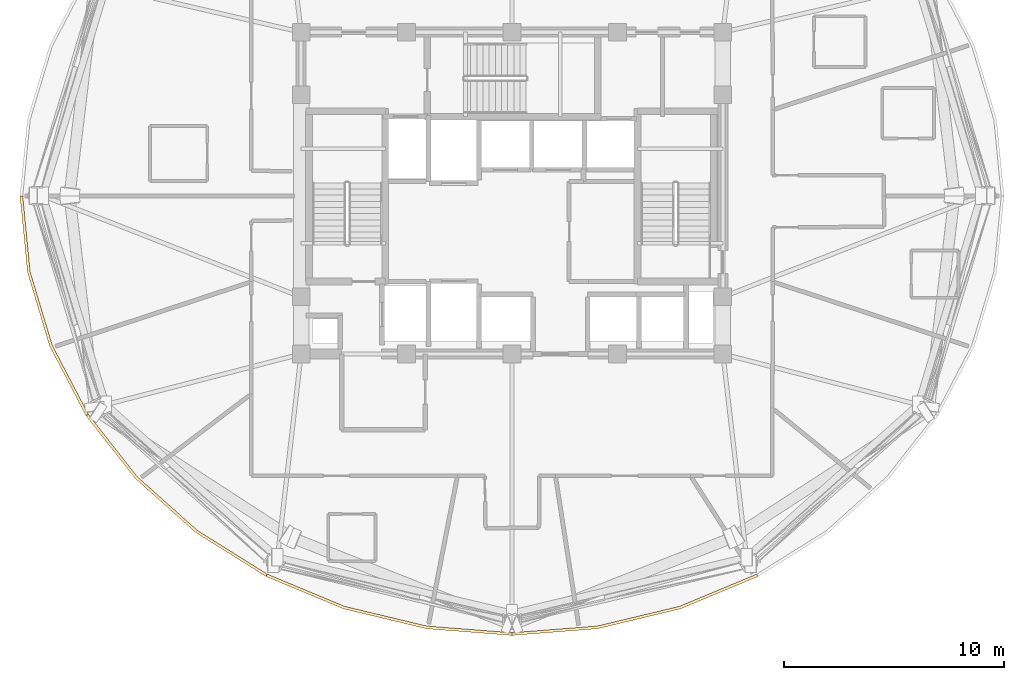
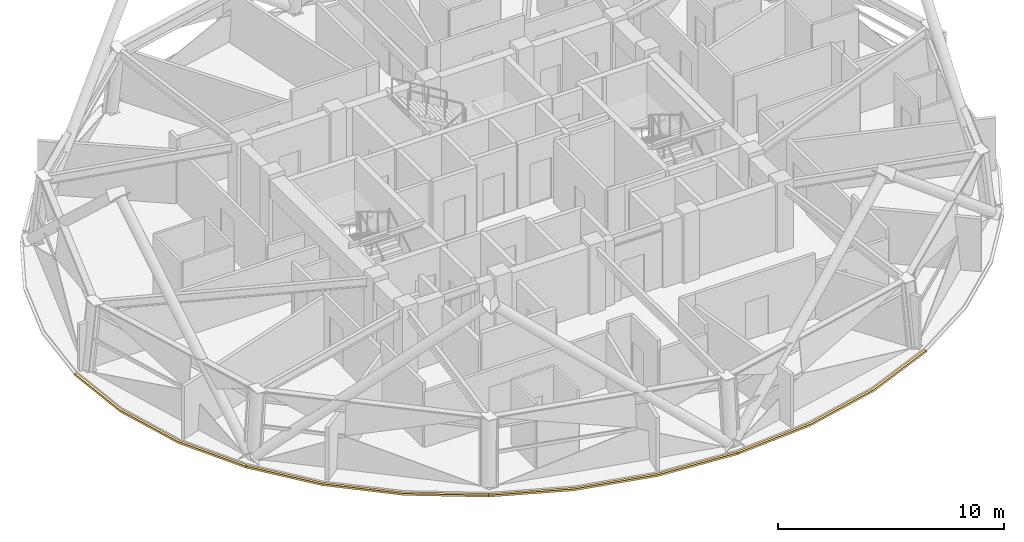
# One storey, part 9 of 12: 4 coverings.
"""IFC4 building model written with IfcOpenShell, lengths in metres."""

from ifc_helpers import new_model, si_unit, direction, frame, origin, place, context, subcontext, project, spatial, polyline, outline, extrude, material, layer, layer_set, type_object, element, save


model = new_model("IFC4")

# Units and contexts
model_context = context("Model", 3, precision=1e-05, world=origin(), true_north=direction((0.0, 1.0)))
body_context = subcontext(model_context, "Body", "Model", "MODEL_VIEW")
ifc_project = project(units=[si_unit("LENGTHUNIT", "METRE"), si_unit("AREAUNIT", "SQUARE_METRE"), si_unit("VOLUMEUNIT", "CUBIC_METRE"), si_unit("PLANEANGLEUNIT", "RADIAN"), si_unit("MASSUNIT", "GRAM", prefix="KILO")], contexts=[model_context])

# Site, building, storey
site_placement = place(None, origin())
site = spatial("IfcSite", under=ifc_project, at=site_placement, CompositionType="ELEMENT")
building_placement = place(site_placement, origin())
building = spatial("IfcBuilding", under=site, at=building_placement, Name="Vantalir Tower", CompositionType="ELEMENT")
storey_placement = place(building_placement, frame((0.0, 0.0, 249.89990234375)))
storey = spatial("IfcBuildingStorey", under=building, at=storey_placement, Name="L63", CompositionType="ELEMENT", Elevation=249.89990234375)

# Coverings
ifc_material = material(Name="Anodised champagne aluminium sill fascia", Category="aluminium")
ifc_layer = layer(ifc_material, 0.125)
ifc_layer_set = layer_set([ifc_layer], Name="Anodised champagne aluminium sill fascia")
covering_type = type_object("IfcCoveringType", Name="COV-SLAB-FASCIA-125", PredefinedType="CLADDING", material=ifc_layer_set)
covering_1_placement = place(storey_placement, frame((0.0, 0.0, -0.179931640625)))
element("IfcCovering", 1, at=covering_1_placement, inside=storey, type_object=covering_type, Name="L63 Perimeter Slab-Edge Sill Fascia 07", PredefinedType="CLADDING", context=body_context, shape_type="SweptSolid", body=[
    extrude(outline(polyline([(9.10693359375, 25.0), (9.447021484375, 21.52587890625), (10.45703125, 18.156982421875), (12.10693359375, 14.99609375), (12.215087890625, 15.05810546875), (10.574951171875, 18.199951171875), (9.570068359375, 21.547119140625), (9.23193359375, 25.0), (9.10693359375, 25.0)])), origin(), (0.0, 0.0, 1.0), 0.10498046875),
])
covering_2_placement = place(storey_placement, frame((0.0, 0.0, -0.179931640625)))
element("IfcCovering", 2, at=covering_2_placement, inside=storey, type_object=covering_type, Name="L63 Perimeter Slab-Edge Sill Fascia 08", PredefinedType="CLADDING", context=body_context, shape_type="SweptSolid", body=[
    extrude(outline(polyline([(12.10693359375, 14.99609375), (14.345947265625, 12.138916015625), (17.10595703125, 9.673095703125), (20.302978515625, 7.673095703125), (20.365966796875, 7.781005859375), (17.18603515625, 9.76904296875), (14.44189453125, 12.218994140625), (12.215087890625, 15.05810546875), (12.10693359375, 14.99609375)])), origin(), (0.0, 0.0, 1.0), 0.10498046875),
])
covering_3_placement = place(storey_placement, frame((0.0, 0.0, -0.179931640625)))
element("IfcCovering", 3, at=covering_3_placement, inside=storey, type_object=covering_type, Name="L63 Perimeter Slab-Edge Sill Fascia 09", PredefinedType="CLADDING", context=body_context, shape_type="SweptSolid", body=[
    extrude(outline(polyline([(20.302978515625, 7.673095703125), (23.841064453125, 6.198974609375), (27.611083984375, 5.2958984375), (31.5, 4.991943359375), (31.5, 5.116943359375), (27.633056640625, 5.4189453125), (23.884033203125, 6.31591796875), (20.365966796875, 7.781005859375), (20.302978515625, 7.673095703125)])), origin(), (0.0, 0.0, 1.0), 0.10498046875),
])
covering_4_placement = place(storey_placement, frame((0.0, 0.0, -0.179931640625)))
element("IfcCovering", 4, at=covering_4_placement, inside=storey, type_object=covering_type, Name="L63 Perimeter Slab-Edge Sill Fascia 10", PredefinedType="CLADDING", context=body_context, shape_type="SweptSolid", body=[
    extrude(outline(polyline([(31.5, 4.991943359375), (35.388916015625, 5.2958984375), (39.158935546875, 6.198974609375), (42.697021484375, 7.673095703125), (42.634033203125, 7.781005859375), (39.115966796875, 6.31591796875), (35.366943359375, 5.4189453125), (31.5, 5.116943359375), (31.5, 4.991943359375)])), origin(), (0.0, 0.0, 1.0), 0.10498046875),
])

save(model, "model.ifc")
